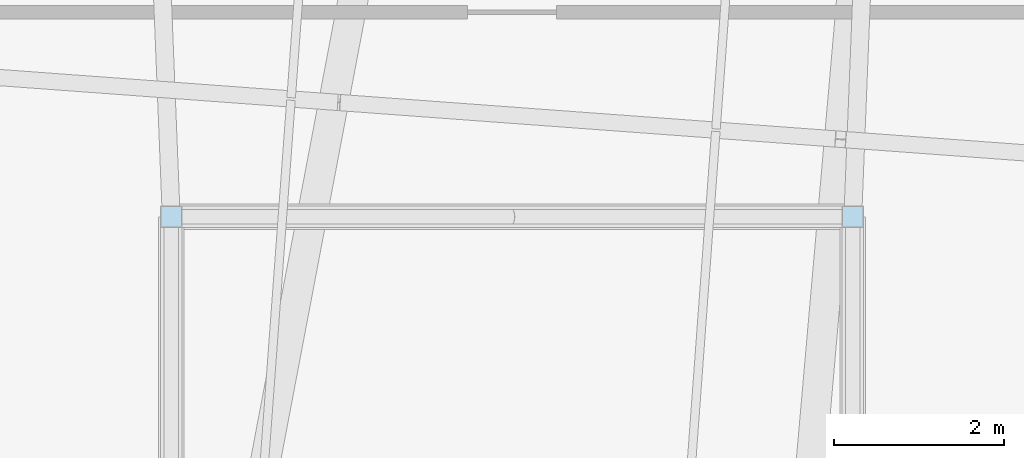
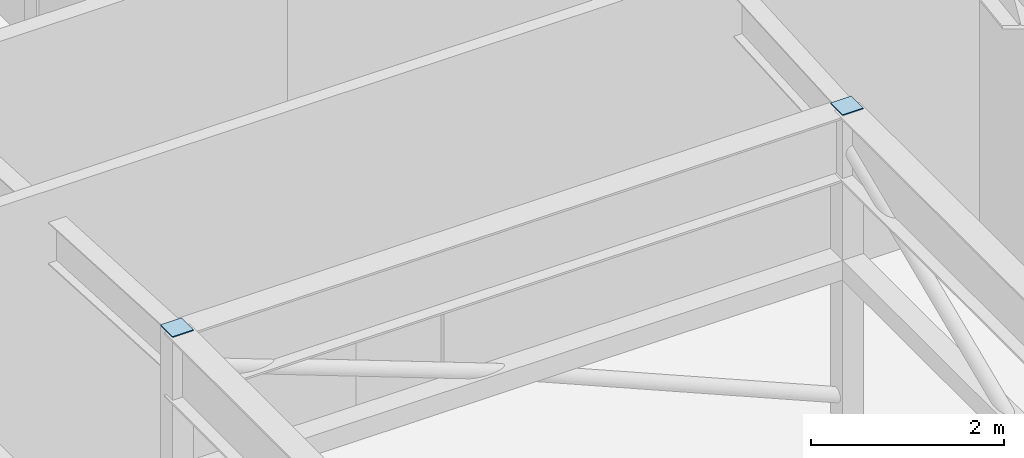
# One storey, part 45 of 56: 2 plates.
"""IFC4 building model written with IfcOpenShell, lengths in metres."""

from ifc_helpers import new_model, si_unit, direction, frame, origin, origin_2d, place, context, subcontext, project, spatial, rectangle, extrude, source, transform, mapped, material, layer, layer_set, type_object, element, save


model = new_model("IFC4")

# Units and contexts
model_context = context("Model", 3, precision=1e-05, world=origin(), true_north=direction((0.0, 1.0)))
body_context = subcontext(model_context, "Body", "Model", "MODEL_VIEW")
ifc_project = project(units=[si_unit("LENGTHUNIT", "METRE"), si_unit("AREAUNIT", "SQUARE_METRE"), si_unit("VOLUMEUNIT", "CUBIC_METRE"), si_unit("PLANEANGLEUNIT", "RADIAN"), si_unit("MASSUNIT", "GRAM", prefix="KILO")], contexts=[model_context])

# Site, building, storey
site_placement = place(None, origin())
site = spatial("IfcSite", under=ifc_project, at=site_placement, CompositionType="ELEMENT")
building_placement = place(site_placement, origin())
building = spatial("IfcBuilding", under=site, at=building_placement, Name="Taldren Reach Tower", CompositionType="ELEMENT")
storey_placement = place(building_placement, frame((0.0, 0.0, 253.050048828125)))
storey = spatial("IfcBuildingStorey", under=building, at=storey_placement, Name="L77", CompositionType="ELEMENT", Elevation=253.050048828125)

# Plates
ifc_material = material(Name="Steel Gr 350 (C350L0)", Category="steel")
ifc_layer = layer(ifc_material, 0.011962890625)
ifc_layer_set = layer_set([ifc_layer], Name="Steel Gr 350 (C350L0)")
plate_type = type_object("IfcPlateType", Name="PL-CAP-250", PredefinedType="SHEET", material=ifc_layer_set)
shared_shape = source(origin(), body_context, "Body", "SweptSolid", [
    extrude(rectangle(XDim=0.25, YDim=0.25, at=origin_2d()), origin(), (0.0, 0.0, 1.0), 0.011962890625),
])
for number, where, z_axis, x_axis, name in (
    (1, (39.0, 19.0, 3.89990234375), (0.0, 0.0, 1.0), (1.0, 0.0, 0.0), "Tuned mass damper gantry post end cap plate TMD-P3"),
    (2, (31.0, 19.0, 3.89990234375), (0.0, 0.0, 1.0), (1.0, 0.0, 0.0), "Tuned mass damper gantry post end cap plate TMD-P4"),
):
    element("IfcPlate", number, at=place(storey_placement, frame(where, z_axis=z_axis, x_axis=x_axis)), inside=storey, type_object=plate_type, Name=name, PredefinedType="SHEET", context=body_context, shape_type="MappedRepresentation", body=[
        mapped(shared_shape, transform((0.0, 0.0, 0.0), scale=1.0)),
    ])

save(model, "model.ifc")
